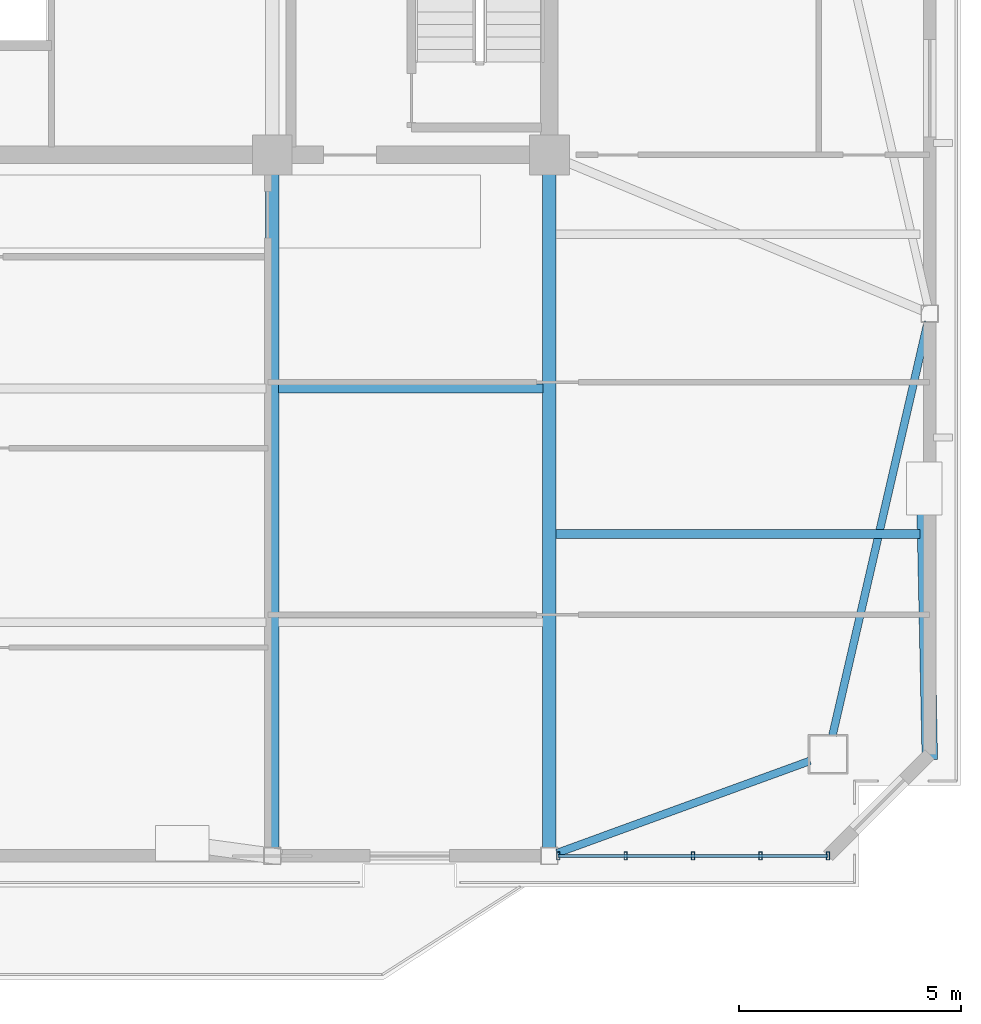
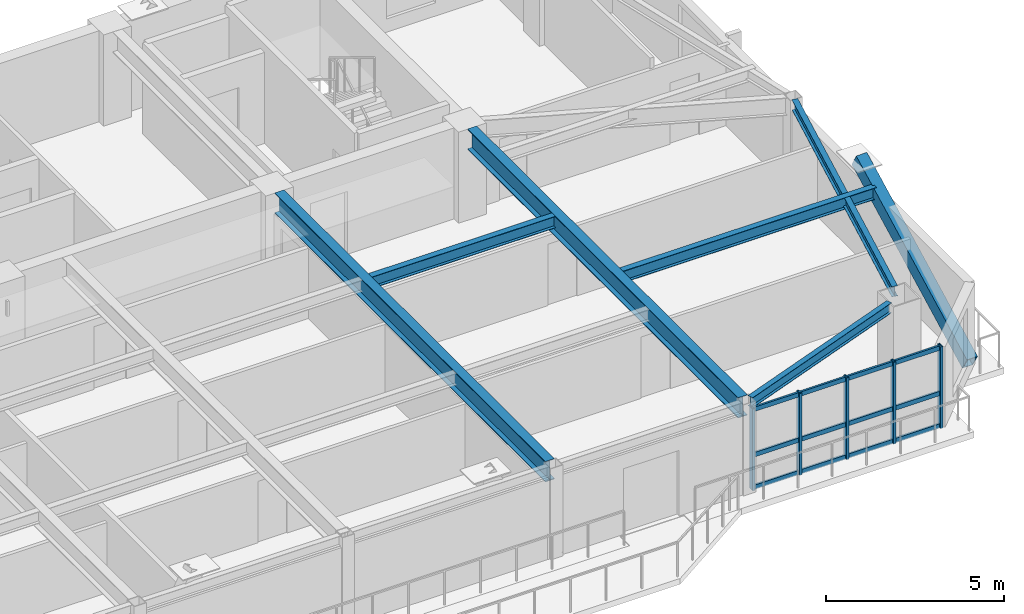
# One storey, part 4 of 13: 9 members, 6 beams, 1 element without a shape of its own.
"""IFC4 building model written with IfcOpenShell, lengths in metres."""

from ifc_helpers import new_model, si_unit, direction, frame, origin, origin_2d, place, context, subcontext, project, spatial, hollow_rectangle, i_section, extrude, source, transform, mapped, material, layer, layer_set, material_profile, profile_set, type_object, element, aggregate, save


model = new_model("IFC4")

# Units and contexts
model_context = context("Model", 3, precision=1e-05, world=origin(), true_north=direction((0.0, 1.0)))
body_context = subcontext(model_context, "Body", "Model", "MODEL_VIEW")
ifc_project = project(units=[si_unit("LENGTHUNIT", "METRE"), si_unit("AREAUNIT", "SQUARE_METRE"), si_unit("VOLUMEUNIT", "CUBIC_METRE"), si_unit("PLANEANGLEUNIT", "RADIAN"), si_unit("MASSUNIT", "GRAM", prefix="KILO")], contexts=[model_context])

# Site, building, storey
site_placement = place(None, origin())
site = spatial("IfcSite", under=ifc_project, at=site_placement, CompositionType="ELEMENT")
building_placement = place(site_placement, origin())
building = spatial("IfcBuilding", under=site, at=building_placement, Name="Giltprow Tower", CompositionType="ELEMENT")
storey_placement = place(building_placement, frame((0.0, 0.0, 324.39990234375)))
storey = spatial("IfcBuildingStorey", under=building, at=storey_placement, Name="L84", CompositionType="ELEMENT", Elevation=324.39990234375)

# Beams
ifc_material_1 = material(Name="Structural steel Q355B", Category="steel")
ifc_material_profile_1 = material_profile(ifc_material_1, i_section(OverallWidth=0.199951171875, OverallDepth=0.39990234375, WebThickness=0.008056640625, FlangeThickness=0.012939453125, at=origin_2d()), Name="HN 400x200x8x13")
ifc_profile_set_1 = profile_set([ifc_material_profile_1], Name="Structural steel Q355B")
beam_type_1 = type_object("IfcBeamType", Name="BM-JOIST-HN400", PredefinedType="JOIST", material=ifc_profile_set_1)
shared_shape_1 = source(origin(), body_context, "Body", "SweptSolid", [
    extrude(i_section(OverallWidth=0.199951171875, OverallDepth=0.39990234375, WebThickness=0.008056640625, FlangeThickness=0.012939453125, at=origin_2d()), origin(), (0.0, 0.0, 1.0), 5.9599609375),
])
beam_1_placement = place(storey_placement, frame((44.445068359375, 32.178955078125, 2.920166015625), z_axis=(1.0, 0.0, 0.0), x_axis=(0.0, 1.0, 0.0)))
element("IfcBeam", 1, at=beam_1_placement, inside=storey, type_object=beam_type_1, Name="L84 Composite Floor Joist 2-4", PredefinedType="JOIST", context=body_context, shape_type="MappedRepresentation", body=[
    mapped(shared_shape_1, transform((0.0, 0.0, 0.0), x_axis=(1.0, 0.0, 0.0), y_axis=(0.0, 1.0, 0.0), z_axis=(0.0, 0.0, 1.0), scale=1.0)),
])
ifc_material_profile_2 = material_profile(ifc_material_1, i_section(OverallWidth=0.175048828125, OverallDepth=0.35009765625, WebThickness=0.007080078125, FlangeThickness=0.010986328125, at=origin_2d()), Name="HN 350x175x7x11")
ifc_profile_set_2 = profile_set([ifc_material_profile_2], Name="Structural steel Q355B")
beam_type_2 = type_object("IfcBeamType", Name="BM-SPAN-HN350", PredefinedType="SPANDREL", material=ifc_profile_set_2)
shared_shape_2 = source(origin(), body_context, "Body", "SweptSolid", [
    extrude(i_section(OverallWidth=0.175048828125, OverallDepth=0.35009765625, WebThickness=0.007080078125, FlangeThickness=0.010986328125, at=origin_2d()), origin(), (0.0, 0.0, 1.0), 6.0732421875),
])
beam_2_placement = place(storey_placement, frame((50.72412109375, 21.698974609375, 2.945068359375), z_axis=(0.939516115667, 0.342504698365, 0.0), x_axis=(-0.342504698365, 0.939516115667, 0.0)))
element("IfcBeam", 2, at=beam_2_placement, inside=storey, type_object=beam_type_2, Name="L84 Perimeter Spandrel Beam S4-MC_SE", PredefinedType="SPANDREL", context=body_context, shape_type="MappedRepresentation", body=[
    mapped(shared_shape_2, transform((0.0, 0.0, 0.0), x_axis=(1.0, 0.0, 0.0), y_axis=(0.0, 1.0, 0.0), z_axis=(0.0, 0.0, 1.0), scale=1.0)),
])
shared_shape_3 = source(origin(), body_context, "Body", "SweptSolid", [
    extrude(i_section(OverallWidth=0.175048828125, OverallDepth=0.35009765625, WebThickness=0.007080078125, FlangeThickness=0.010986328125, at=origin_2d()), origin(), (0.0, 0.0, 1.0), 9.580810546875),
])
beam_3_placement = place(storey_placement, frame((56.93701171875, 24.35205078125, 2.945068359375), z_axis=(0.224626866527, 0.974444852639, 0.0), x_axis=(-0.974444852639, 0.224626866527, 0.0)))
element("IfcBeam", 3, at=beam_3_placement, inside=storey, type_object=beam_type_2, Name="L84 Perimeter Spandrel Beam MC_SE-E_MID", PredefinedType="SPANDREL", context=body_context, shape_type="MappedRepresentation", body=[
    mapped(shared_shape_3, transform((0.0, 0.0, 0.0), x_axis=(1.0, 0.0, 0.0), y_axis=(0.0, 1.0, 0.0), z_axis=(0.0, 0.0, 1.0), scale=1.0)),
])
ifc_material_profile_3 = material_profile(ifc_material_1, i_section(OverallWidth=0.300048828125, OverallDepth=0.699951171875, WebThickness=0.012939453125, FlangeThickness=0.02392578125, at=origin_2d()), Name="HN 700x300x13x24")
ifc_profile_set_3 = profile_set([ifc_material_profile_3], Name="Structural steel Q355B")
beam_type_3 = type_object("IfcBeamType", Name="BM-GIRD-HN700", PredefinedType="BEAM", material=ifc_profile_set_3)
shared_shape_4 = source(origin(), body_context, "Body", "SweptSolid", [
    extrude(i_section(OverallWidth=0.300048828125, OverallDepth=0.699951171875, WebThickness=0.012939453125, FlangeThickness=0.02392578125, at=origin_2d()), origin(), (0.0, 0.0, 1.0), 15.19384765625),
])
for number, where, z_axis, x_axis, name in (
    (4, (44.300048828125, 21.821044921875, 2.77001953125), (0.0, 1.0, 0.0), (-1.0, 0.0, 0.0), "L84 Primary Lease Girder S3"),
    (5, (50.550048828125, 21.821044921875, 2.77001953125), (0.0, 1.0, 0.0), (-1.0, 0.0, 0.0), "L84 Primary Lease Girder S4"),
):
    element("IfcBeam", number, at=place(storey_placement, frame(where, z_axis=z_axis, x_axis=x_axis)), inside=storey, type_object=beam_type_3, Name=name, PredefinedType="BEAM", context=body_context, shape_type="MappedRepresentation", body=[
        mapped(shared_shape_4, transform((0.0, 0.0, 0.0), x_axis=(1.0, 0.0, 0.0), y_axis=(0.0, 1.0, 0.0), z_axis=(0.0, 0.0, 1.0), scale=1.0)),
    ])
shared_shape_5 = source(origin(), body_context, "Body", "SweptSolid", [
    extrude(i_section(OverallWidth=0.199951171875, OverallDepth=0.39990234375, WebThickness=0.008056640625, FlangeThickness=0.012939453125, at=origin_2d()), origin(), (0.0, 0.0, 1.0), 8.2158203125),
])
beam_4_placement = place(storey_placement, frame((50.695068359375, 28.89794921875, 2.920166015625), z_axis=(1.0, 0.0, 0.0), x_axis=(0.0, 1.0, 0.0)))
element("IfcBeam", 6, at=beam_4_placement, inside=storey, type_object=beam_type_1, Name="L84 East Wing Floor Joist 1", PredefinedType="JOIST", context=body_context, shape_type="MappedRepresentation", body=[
    mapped(shared_shape_5, transform((0.0, 0.0, 0.0), x_axis=(1.0, 0.0, 0.0), y_axis=(0.0, 1.0, 0.0), z_axis=(0.0, 0.0, 1.0), scale=1.0)),
])

# Member
ifc_material_2 = material(Name="Structural steel Q420GJC", Category="steel")
ifc_material_profile_4 = material_profile(ifc_material_2, hollow_rectangle(XDim=0.35009765625, YDim=0.5, WallThickness=0.02392578125, at=origin_2d()), Name="RHS 500x350x24")
ifc_profile_set_4 = profile_set([ifc_material_profile_4], Name="Structural steel Q420GJC")
member_type_1 = type_object("IfcMemberType", Name="MBR-MEGA-RHS500", PredefinedType="BRACE", material=ifc_profile_set_4)
shared_shape_6 = source(origin(), body_context, "Body", "SweptSolid", [
    extrude(hollow_rectangle(XDim=0.35009765625, YDim=0.5, WallThickness=0.02392578125, at=origin_2d()), origin(), (0.0, 0.0, 1.0), 6.893310546875),
])
member_1_placement = place(storey_placement, frame((59.131103515625, 23.927978515625, 0.0), z_axis=(-0.018133460992, 0.869697789298, 0.493251389133), x_axis=(-0.999782703314, -0.020845770651, 0.0)))
element("IfcMember", 7, at=member_1_placement, inside=storey, type_object=member_type_1, Name="L84 Chevron Mega-Brace E-D", PredefinedType="BRACE", context=body_context, shape_type="MappedRepresentation", body=[
    mapped(shared_shape_6, transform((0.0, 0.0, 0.0), x_axis=(1.0, 0.0, 0.0), y_axis=(0.0, 1.0, 0.0), z_axis=(0.0, 0.0, 1.0), scale=1.0)),
])

# Curtain wall, members
ifc_material_3 = material(Name="Anodized bronze", Category="metal")
ifc_layer = layer(ifc_material_3, 0.179931640625, Name="Anodized bronze")
ifc_layer_set = layer_set([ifc_layer], Name="Anodized bronze")
curtain_wall_type = type_object("IfcCurtainWallType", Name="CW-RES-SKY", PredefinedType="NOTDEFINED", material=ifc_layer_set)
curtain_wall_placement = place(storey_placement, origin())
curtain_wall = element("IfcCurtainWall", 8, at=curtain_wall_placement, inside=storey, type_object=curtain_wall_type, Name="L84 South Recessed Curtain Wall 6", PredefinedType="NOTDEFINED")
ifc_material_profile_5 = material_profile(ifc_material_3, hollow_rectangle(XDim=0.074951171875, YDim=0.179931640625, WallThickness=0.008056640625, at=origin_2d()), Name="RHS 180x75x8")
ifc_profile_set_5 = profile_set([ifc_material_profile_5], Name="Anodized bronze")
member_type_2 = type_object("IfcMemberType", Name="CW-MULLION-180x75", PredefinedType="MULLION", material=ifc_profile_set_5)
shared_shape_7 = source(origin(), body_context, "Body", "SweptSolid", [
    extrude(hollow_rectangle(XDim=0.074951171875, YDim=0.179931640625, WallThickness=0.008056640625, at=origin_2d()), origin(), (0.0, 0.0, 1.0), 2.80517578125),
])
member_2_placement = place(storey_placement, frame((50.75, 21.635986328125, -0.02001953125), z_axis=(0.0, 0.0, 1.0), x_axis=(1.0, 0.0, 0.0)))
member_2 = element("IfcMember", 9, at=member_2_placement, type_object=member_type_2, Name="L84 South Recessed Curtain Wall 6 Mullion 1", PredefinedType="MULLION", context=body_context, shape_type="MappedRepresentation", body=[
    mapped(shared_shape_7, transform((0.0, 0.0, 0.0), x_axis=(1.0, 0.0, 0.0), y_axis=(0.0, 1.0, 0.0), z_axis=(0.0, 0.0, 1.0), scale=1.0)),
])
member_3_placement = place(storey_placement, frame((52.27197265625, 21.635986328125, -0.02001953125), z_axis=(0.0, 0.0, 1.0), x_axis=(1.0, 0.0, 0.0)))
member_3 = element("IfcMember", 10, at=member_3_placement, type_object=member_type_2, Name="L84 South Recessed Curtain Wall 6 Mullion 2", PredefinedType="MULLION", context=body_context, shape_type="MappedRepresentation", body=[
    mapped(shared_shape_7, transform((0.0, 0.0, 0.0), x_axis=(1.0, 0.0, 0.0), y_axis=(0.0, 1.0, 0.0), z_axis=(0.0, 0.0, 1.0), scale=1.0)),
])
member_4_placement = place(storey_placement, frame((53.7939453125, 21.635986328125, -0.02001953125), z_axis=(0.0, 0.0, 1.0), x_axis=(1.0, 0.0, 0.0)))
member_4 = element("IfcMember", 11, at=member_4_placement, type_object=member_type_2, Name="L84 South Recessed Curtain Wall 6 Mullion 3", PredefinedType="MULLION", context=body_context, shape_type="MappedRepresentation", body=[
    mapped(shared_shape_7, transform((0.0, 0.0, 0.0), x_axis=(1.0, 0.0, 0.0), y_axis=(0.0, 1.0, 0.0), z_axis=(0.0, 0.0, 1.0), scale=1.0)),
])
member_5_placement = place(storey_placement, frame((55.31689453125, 21.635986328125, -0.02001953125), z_axis=(0.0, 0.0, 1.0), x_axis=(1.0, 0.0, 0.0)))
member_5 = element("IfcMember", 12, at=member_5_placement, type_object=member_type_2, Name="L84 South Recessed Curtain Wall 6 Mullion 4", PredefinedType="MULLION", context=body_context, shape_type="MappedRepresentation", body=[
    mapped(shared_shape_7, transform((0.0, 0.0, 0.0), x_axis=(1.0, 0.0, 0.0), y_axis=(0.0, 1.0, 0.0), z_axis=(0.0, 0.0, 1.0), scale=1.0)),
])
member_6_placement = place(storey_placement, frame((56.839111328125, 21.635986328125, -0.02001953125), z_axis=(0.0, 0.0, 1.0), x_axis=(1.0, 0.0, 0.0)))
member_6 = element("IfcMember", 13, at=member_6_placement, type_object=member_type_2, Name="L84 South Recessed Curtain Wall 6 Mullion 5", PredefinedType="MULLION", context=body_context, shape_type="MappedRepresentation", body=[
    mapped(shared_shape_7, transform((0.0, 0.0, 0.0), x_axis=(1.0, 0.0, 0.0), y_axis=(0.0, 1.0, 0.0), z_axis=(0.0, 0.0, 1.0), scale=1.0)),
])
ifc_material_profile_6 = material_profile(ifc_material_3, hollow_rectangle(XDim=0.06494140625, YDim=0.14990234375, WallThickness=0.006103515625, at=origin_2d()), Name="RHS 150x65x6")
ifc_profile_set_6 = profile_set([ifc_material_profile_6], Name="Anodized bronze")
member_type_3 = type_object("IfcMemberType", Name="CW-TRANSOM-150x65", PredefinedType="USERDEFINED", material=ifc_profile_set_6)
shared_shape_8 = source(origin(), body_context, "Body", "SweptSolid", [
    extrude(hollow_rectangle(XDim=0.06494140625, YDim=0.14990234375, WallThickness=0.006103515625, at=origin_2d()), origin(), (0.0, 0.0, 1.0), 6.089111328125),
])
member_7_placement = place(storey_placement, frame((50.75, 21.635986328125, 0.0400390625), z_axis=(1.0, 0.0, 0.0), x_axis=(0.0, 1.0, 0.0)))
member_7 = element("IfcMember", 14, at=member_7_placement, type_object=member_type_3, Name="L84 South Recessed Curtain Wall 6 Transom 1", ObjectType="TRANSOM", PredefinedType="USERDEFINED", context=body_context, shape_type="MappedRepresentation", body=[
    mapped(shared_shape_8, transform((0.0, 0.0, 0.0), x_axis=(1.0, 0.0, 0.0), y_axis=(0.0, 1.0, 0.0), z_axis=(0.0, 0.0, 1.0), scale=1.0)),
])
member_8_placement = place(storey_placement, frame((50.75, 21.635986328125, 1.155029296875), z_axis=(1.0, 0.0, 0.0), x_axis=(0.0, 1.0, 0.0)))
member_8 = element("IfcMember", 15, at=member_8_placement, type_object=member_type_3, Name="L84 South Recessed Curtain Wall 6 Transom 2", ObjectType="TRANSOM", PredefinedType="USERDEFINED", context=body_context, shape_type="MappedRepresentation", body=[
    mapped(shared_shape_8, transform((0.0, 0.0, 0.0), x_axis=(1.0, 0.0, 0.0), y_axis=(0.0, 1.0, 0.0), z_axis=(0.0, 0.0, 1.0), scale=1.0)),
])
member_9_placement = place(storey_placement, frame((50.75, 21.635986328125, 2.710205078125), z_axis=(1.0, 0.0, 0.0), x_axis=(0.0, 1.0, 0.0)))
member_9 = element("IfcMember", 16, at=member_9_placement, type_object=member_type_3, Name="L84 South Recessed Curtain Wall 6 Transom 3", ObjectType="TRANSOM", PredefinedType="USERDEFINED", context=body_context, shape_type="MappedRepresentation", body=[
    mapped(shared_shape_8, transform((0.0, 0.0, 0.0), x_axis=(1.0, 0.0, 0.0), y_axis=(0.0, 1.0, 0.0), z_axis=(0.0, 0.0, 1.0), scale=1.0)),
])
aggregate(curtain_wall, [member_2, member_3, member_4, member_5, member_6, member_7, member_8, member_9])

save(model, "model.ifc")
